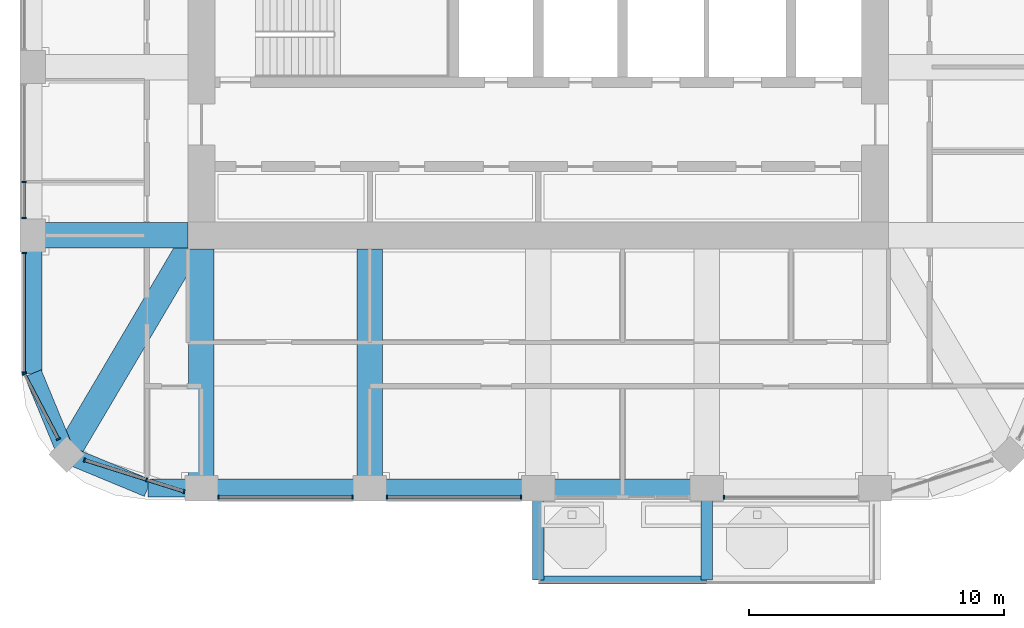
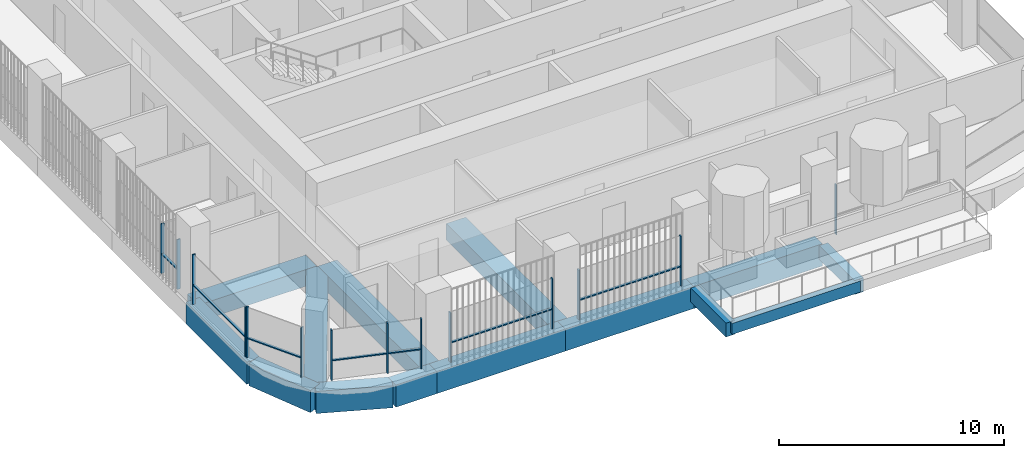
# One storey, part 2 of 21: 21 members, 14 beams, 7 elements without a shape of their own.
"""IFC4 building model written with IfcOpenShell, lengths in metres."""

from ifc_helpers import new_model, si_unit, direction, frame, origin, origin_2d, place, context, subcontext, project, spatial, rectangle, extrude, material, material_profile, profile_set, type_object, element, aggregate, save


model = new_model("IFC4")

# Units and contexts
model_context = context("Model", 3, precision=1e-05, world=origin(), true_north=direction((0.0, 1.0)))
body_context = subcontext(model_context, "Body", "Model", "MODEL_VIEW")
ifc_project = project(units=[si_unit("LENGTHUNIT", "METRE"), si_unit("AREAUNIT", "SQUARE_METRE"), si_unit("VOLUMEUNIT", "CUBIC_METRE"), si_unit("PLANEANGLEUNIT", "RADIAN"), si_unit("MASSUNIT", "GRAM", prefix="KILO")], contexts=[model_context])

# Site, building, storey
site_placement = place(None, origin())
site = spatial("IfcSite", under=ifc_project, at=site_placement, CompositionType="ELEMENT")
building_placement = place(site_placement, origin())
building = spatial("IfcBuilding", under=site, at=building_placement, Name="Cobogo Forest Laboratory Tower", CompositionType="ELEMENT")
storey_placement = place(building_placement, frame((0.0, 0.0, 250.199951171875)))
storey = spatial("IfcBuildingStorey", under=building, at=storey_placement, Name="L57", CompositionType="ELEMENT", Elevation=250.199951171875)

# Beams
ifc_material_1 = material(Name="Concrete HA-40 (C40/50)", Category="concrete")
ifc_material_profile_1 = material_profile(ifc_material_1, rectangle(XDim=0.449951171875, YDim=0.75, at=origin_2d()), Name="RC 450x750")
ifc_profile_set_1 = profile_set([ifc_material_profile_1], Name="Concrete HA-40 (C40/50)")
beam_type_1 = type_object("IfcBeamType", Name="Balcony cantilever beam 450x750", PredefinedType="BEAM", material=ifc_profile_set_1)
for number, where, z_axis, x_axis, name in (
    (1, (26.39990234375, 2.85009765625, -0.625), (0.0, -1.0, 0.0), (1.0, 0.0, 0.0), "CB1 BAL-S1-C1 L57"),
    (2, (33.0, 2.85009765625, -0.625), (0.0, -1.0, 0.0), (1.0, 0.0, 0.0), "CB1 BAL-S1-C2 L57"),
):
    element("IfcBeam", number, at=place(storey_placement, frame(where, z_axis=z_axis, x_axis=x_axis)), inside=storey, type_object=beam_type_1, Name=name, PredefinedType="BEAM", context=body_context, shape_type="SweptSolid", body=[
        extrude(rectangle(XDim=0.449951171875, YDim=0.75, at=origin_2d()), origin(), (0.0, 0.0, 1.0), 3.150146484375),
    ])
ifc_material_profile_2 = material_profile(ifc_material_1, rectangle(XDim=0.300048828125, YDim=0.60009765625, at=origin_2d()), Name="RC 300x600")
ifc_profile_set_2 = profile_set([ifc_material_profile_2], Name="Concrete HA-40 (C40/50)")
beam_type_2 = type_object("IfcBeamType", Name="Balcony edge beam 300x600", PredefinedType="BEAM", material=ifc_profile_set_2)
beam_1_placement = place(storey_placement, frame((26.39990234375, -0.300048828125, -0.550048828125), z_axis=(1.0, 0.0, 0.0), x_axis=(0.0, 1.0, 0.0)))
element("IfcBeam", 3, at=beam_1_placement, inside=storey, type_object=beam_type_2, Name="BB1 BAL-S1-T1 L57", PredefinedType="BEAM", context=body_context, shape_type="SweptSolid", body=[
    extrude(rectangle(XDim=0.300048828125, YDim=0.60009765625, at=origin_2d()), origin(), (0.0, 0.0, 1.0), 6.60009765625),
])

# Curtain wall, members
ifc_material_2 = material(Name="Aluminium curtain wall", Category="aluminium")
curtain_wall_type = type_object("IfcCurtainWallType", Name="CW-2 unitised curtain wall, solar control glazing, laboratory floors zones C and D", PredefinedType="USERDEFINED", material=ifc_material_2)
curtain_wall_1_placement = place(storey_placement, origin())
curtain_wall_1 = element("IfcCurtainWall", 4, at=curtain_wall_1_placement, inside=storey, type_object=curtain_wall_type, Name="Curtain wall 01 L57", ObjectType="UNITISED CURTAIN WALL", PredefinedType="USERDEFINED")
ifc_material_3 = material(Name="Aluminium mullion", Category="aluminium")
ifc_material_profile_3 = material_profile(ifc_material_3, rectangle(XDim=0.06005859375, YDim=0.159912109375, at=origin_2d()), Name="AL 60x160")
ifc_profile_set_3 = profile_set([ifc_material_profile_3], Name="Aluminium mullion")
member_type_1 = type_object("IfcMemberType", Name="MU-1 aluminium mullion 60x160", PredefinedType="MULLION", material=ifc_profile_set_3)
member_1_placement = place(storey_placement, frame((13.8798828125, 2.949951171875, 0.0), z_axis=(0.0, 0.0, 1.0), x_axis=(1.0, 0.0, 0.0)))
member_1 = element("IfcMember", 5, at=member_1_placement, type_object=member_type_1, Name="CW-2 mullion 1", PredefinedType="MULLION", context=body_context, shape_type="SweptSolid", body=[
    extrude(rectangle(XDim=0.06005859375, YDim=0.159912109375, at=origin_2d()), origin(), (0.0, 0.0, 1.0), 2.699951171875),
])
member_2_placement = place(storey_placement, frame((19.1201171875, 2.949951171875, 0.0), z_axis=(0.0, 0.0, 1.0), x_axis=(1.0, 0.0, 0.0)))
member_2 = element("IfcMember", 6, at=member_2_placement, type_object=member_type_1, Name="CW-2 mullion 2", PredefinedType="MULLION", context=body_context, shape_type="SweptSolid", body=[
    extrude(rectangle(XDim=0.06005859375, YDim=0.159912109375, at=origin_2d()), origin(), (0.0, 0.0, 1.0), 2.699951171875),
])

curtain_wall_2_placement = place(storey_placement, origin())
curtain_wall_2 = element("IfcCurtainWall", 7, at=curtain_wall_2_placement, inside=storey, type_object=curtain_wall_type, Name="Curtain wall 02 L57", ObjectType="UNITISED CURTAIN WALL", PredefinedType="USERDEFINED")
member_3_placement = place(storey_placement, frame((20.47998046875, 2.949951171875, 0.0), z_axis=(0.0, 0.0, 1.0), x_axis=(1.0, 0.0, 0.0)))
member_3 = element("IfcMember", 8, at=member_3_placement, type_object=member_type_1, Name="CW-2 mullion 1", PredefinedType="MULLION", context=body_context, shape_type="SweptSolid", body=[
    extrude(rectangle(XDim=0.06005859375, YDim=0.159912109375, at=origin_2d()), origin(), (0.0, 0.0, 1.0), 2.699951171875),
])
member_4_placement = place(storey_placement, frame((25.719970703125, 2.949951171875, 0.0), z_axis=(0.0, 0.0, 1.0), x_axis=(1.0, 0.0, 0.0)))
member_4 = element("IfcMember", 9, at=member_4_placement, type_object=member_type_1, Name="CW-2 mullion 2", PredefinedType="MULLION", context=body_context, shape_type="SweptSolid", body=[
    extrude(rectangle(XDim=0.06005859375, YDim=0.159912109375, at=origin_2d()), origin(), (0.0, 0.0, 1.0), 2.699951171875),
])

# Curtain wall, member
curtain_wall_3_placement = place(storey_placement, origin())
curtain_wall_3 = element("IfcCurtainWall", 10, at=curtain_wall_3_placement, inside=storey, type_object=curtain_wall_type, Name="Curtain wall 04 L57", ObjectType="UNITISED CURTAIN WALL", PredefinedType="USERDEFINED")
member_5_placement = place(storey_placement, frame((33.679931640625, 2.949951171875, 0.0), z_axis=(0.0, 0.0, 1.0), x_axis=(1.0, 0.0, 0.0)))
member_5 = element("IfcMember", 11, at=member_5_placement, type_object=member_type_1, Name="CW-2 mullion 1", PredefinedType="MULLION", context=body_context, shape_type="SweptSolid", body=[
    extrude(rectangle(XDim=0.06005859375, YDim=0.159912109375, at=origin_2d()), origin(), (0.0, 0.0, 1.0), 2.699951171875),
])
aggregate(curtain_wall_3, [member_5])

# Curtain wall, members
curtain_wall_4_placement = place(storey_placement, origin())
curtain_wall_4 = element("IfcCurtainWall", 12, at=curtain_wall_4_placement, inside=storey, type_object=curtain_wall_type, Name="Curtain wall 23 L57", ObjectType="UNITISED CURTAIN WALL", PredefinedType="USERDEFINED")
member_6_placement = place(storey_placement, frame((6.25, 15.300048828125, 0.0), z_axis=(0.0, 0.0, 1.0), x_axis=(0.0, -1.0, 0.0)))
member_6 = element("IfcMember", 13, at=member_6_placement, type_object=member_type_1, Name="CW-2 mullion 2", PredefinedType="MULLION", context=body_context, shape_type="SweptSolid", body=[
    extrude(rectangle(XDim=0.06005859375, YDim=0.159912109375, at=origin_2d()), origin(), (0.0, 0.0, 1.0), 2.699951171875),
])
member_7_placement = place(storey_placement, frame((6.25, 13.8798828125, 0.0), z_axis=(0.0, 0.0, 1.0), x_axis=(0.0, -1.0, 0.0)))
member_7 = element("IfcMember", 14, at=member_7_placement, type_object=member_type_1, Name="CW-2 mullion 3", PredefinedType="MULLION", context=body_context, shape_type="SweptSolid", body=[
    extrude(rectangle(XDim=0.06005859375, YDim=0.159912109375, at=origin_2d()), origin(), (0.0, 0.0, 1.0), 2.699951171875),
])

curtain_wall_5_placement = place(storey_placement, origin())
curtain_wall_5 = element("IfcCurtainWall", 15, at=curtain_wall_5_placement, inside=storey, type_object=curtain_wall_type, Name="Curtain wall 24 L57", ObjectType="UNITISED CURTAIN WALL", PredefinedType="USERDEFINED")
member_8_placement = place(storey_placement, frame((6.25, 12.52001953125, 0.0), z_axis=(0.0, 0.0, 1.0), x_axis=(0.0, -1.0, 0.0)))
member_8 = element("IfcMember", 16, at=member_8_placement, type_object=member_type_1, Name="CW-2 mullion 1", PredefinedType="MULLION", context=body_context, shape_type="SweptSolid", body=[
    extrude(rectangle(XDim=0.06005859375, YDim=0.159912109375, at=origin_2d()), origin(), (0.0, 0.0, 1.0), 2.699951171875),
])
member_9_placement = place(storey_placement, frame((6.25, 7.830078125, 0.0), z_axis=(0.0, 0.0, 1.0), x_axis=(0.0, -1.0, 0.0)))
member_9 = element("IfcMember", 17, at=member_9_placement, type_object=member_type_1, Name="CW-2 mullion 2", PredefinedType="MULLION", context=body_context, shape_type="SweptSolid", body=[
    extrude(rectangle(XDim=0.06005859375, YDim=0.159912109375, at=origin_2d()), origin(), (0.0, 0.0, 1.0), 2.699951171875),
])

curtain_wall_6_placement = place(storey_placement, origin())
curtain_wall_6 = element("IfcCurtainWall", 18, at=curtain_wall_6_placement, inside=storey, type_object=curtain_wall_type, Name="Curtain wall 25 L57", ObjectType="UNITISED CURTAIN WALL", PredefinedType="USERDEFINED")
member_10_placement = place(storey_placement, frame((6.263916015625, 7.7734375, 0.0), z_axis=(0.0, 0.0, 1.0), x_axis=(0.464283791352, -0.885686491422, 0.0)))
member_10 = element("IfcMember", 19, at=member_10_placement, type_object=member_type_1, Name="CW-2 mullion 1", PredefinedType="MULLION", context=body_context, shape_type="SweptSolid", body=[
    extrude(rectangle(XDim=0.06005859375, YDim=0.159912109375, at=origin_2d()), origin(), (0.0, 0.0, 1.0), 2.699951171875),
])
member_11_placement = place(storey_placement, frame((7.59765625, 5.229248046875, 0.0), z_axis=(0.0, 0.0, 1.0), x_axis=(0.464283791352, -0.885686491422, 0.0)))
member_11 = element("IfcMember", 20, at=member_11_placement, type_object=member_type_1, Name="CW-2 mullion 2", PredefinedType="MULLION", context=body_context, shape_type="SweptSolid", body=[
    extrude(rectangle(XDim=0.06005859375, YDim=0.159912109375, at=origin_2d()), origin(), (0.0, 0.0, 1.0), 2.699951171875),
])

curtain_wall_7_placement = place(storey_placement, origin())
curtain_wall_7 = element("IfcCurtainWall", 21, at=curtain_wall_7_placement, inside=storey, type_object=curtain_wall_type, Name="Curtain wall 26 L57", ObjectType="UNITISED CURTAIN WALL", PredefinedType="USERDEFINED")
member_12_placement = place(storey_placement, frame((8.623779296875, 4.395263671875, 0.0), z_axis=(0.0, 0.0, 1.0), x_axis=(0.953581386052, -0.301135418334, 0.0)))
member_12 = element("IfcMember", 22, at=member_12_placement, type_object=member_type_1, Name="CW-2 mullion 1", PredefinedType="MULLION", context=body_context, shape_type="SweptSolid", body=[
    extrude(rectangle(XDim=0.06005859375, YDim=0.159912109375, at=origin_2d()), origin(), (0.0, 0.0, 1.0), 2.699951171875),
])
member_13_placement = place(storey_placement, frame((11.051025390625, 3.628662109375, 0.0), z_axis=(0.0, 0.0, 1.0), x_axis=(0.953581386052, -0.301135418334, 0.0)))
member_13 = element("IfcMember", 23, at=member_13_placement, type_object=member_type_1, Name="CW-2 mullion 2", PredefinedType="MULLION", context=body_context, shape_type="SweptSolid", body=[
    extrude(rectangle(XDim=0.06005859375, YDim=0.159912109375, at=origin_2d()), origin(), (0.0, 0.0, 1.0), 2.699951171875),
])
member_14_placement = place(storey_placement, frame((12.521484375, 3.164306640625, 0.0), z_axis=(0.0, 0.0, 1.0), x_axis=(0.953581386052, -0.301135418334, 0.0)))
member_14 = element("IfcMember", 24, at=member_14_placement, type_object=member_type_1, Name="CW-2 mullion 3", PredefinedType="MULLION", context=body_context, shape_type="SweptSolid", body=[
    extrude(rectangle(XDim=0.06005859375, YDim=0.159912109375, at=origin_2d()), origin(), (0.0, 0.0, 1.0), 2.699951171875),
])

# Beams
ifc_material_profile_4 = material_profile(ifc_material_1, rectangle(XDim=1.0, YDim=0.89990234375, at=origin_2d()), Name="RC 1000x900")
ifc_profile_set_4 = profile_set([ifc_material_profile_4], Name="Concrete HA-40 (C40/50)")
beam_type_3 = type_object("IfcBeamType", Name="Office floor wide beam 1000x900", PredefinedType="BEAM", material=ifc_profile_set_4)
for number, where, z_axis, x_axis, name in (
    (25, (13.199951171875, 12.675048828125, -0.75), (0.0, -1.0, 0.0), (1.0, 0.0, 0.0), "RB2 R-3-S L57"),
    (26, (19.800048828125, 12.675048828125, -0.75), (0.0, -1.0, 0.0), (1.0, 0.0, 0.0), "RB2 R-4-S L57"),
):
    element("IfcBeam", number, at=place(storey_placement, frame(where, z_axis=z_axis, x_axis=x_axis)), inside=storey, type_object=beam_type_3, Name=name, PredefinedType="BEAM", context=body_context, shape_type="SweptSolid", body=[
        extrude(rectangle(XDim=1.0, YDim=0.89990234375, at=origin_2d()), origin(), (0.0, 0.0, 1.0), 9.375),
    ])
beam_2_placement = place(storey_placement, frame((12.675048828125, 13.199951171875, -0.75), z_axis=(-1.0, 0.0, 0.0), x_axis=(0.0, -1.0, 0.0)))
element("IfcBeam", 27, at=beam_2_placement, inside=storey, type_object=beam_type_3, Name="RB2 R-C-W L57", PredefinedType="BEAM", context=body_context, shape_type="SweptSolid", body=[
    extrude(rectangle(XDim=1.0, YDim=0.89990234375, at=origin_2d()), origin(), (0.0, 0.0, 1.0), 6.074951171875),
])
beam_3_placement = place(storey_placement, frame((7.91796875, 4.617919921875, -0.75), z_axis=(0.508416325908, 0.861111397875, 0.0), x_axis=(-0.861111397875, 0.508416325908, 0.0)))
element("IfcBeam", 28, at=beam_3_placement, inside=storey, type_object=beam_type_3, Name="RB2 G-SW-D1 L57", PredefinedType="BEAM", context=body_context, shape_type="SweptSolid", body=[
    extrude(rectangle(XDim=1.0, YDim=0.89990234375, at=origin_2d()), origin(), (0.0, 0.0, 1.0), 9.356689453125),
])
ifc_material_profile_5 = material_profile(ifc_material_1, rectangle(XDim=0.699951171875, YDim=1.199951171875, at=origin_2d()), Name="RC 700x1200")
ifc_profile_set_5 = profile_set([ifc_material_profile_5], Name="Concrete HA-40 (C40/50)")
beam_type_4 = type_object("IfcBeamType", Name="Perimeter edge beam 700x1200", PredefinedType="BEAM", material=ifc_profile_set_5)
beam_4_placement = place(storey_placement, frame((13.199951171875, 3.300048828125, -0.89990234375), z_axis=(1.0, 0.0, 0.0), x_axis=(0.0, 1.0, 0.0)))
element("IfcBeam", 29, at=beam_4_placement, inside=storey, type_object=beam_type_4, Name="EB1 E-S1 L57", PredefinedType="BEAM", context=body_context, shape_type="SweptSolid", body=[
    extrude(rectangle(XDim=0.699951171875, YDim=1.199951171875, at=origin_2d()), origin(), (0.0, 0.0, 1.0), 6.60009765625),
])
beam_5_placement = place(storey_placement, frame((19.800048828125, 3.300048828125, -0.89990234375), z_axis=(1.0, 0.0, 0.0), x_axis=(0.0, 1.0, 0.0)))
element("IfcBeam", 30, at=beam_5_placement, inside=storey, type_object=beam_type_4, Name="EB1 E-S2 L57", PredefinedType="BEAM", context=body_context, shape_type="SweptSolid", body=[
    extrude(rectangle(XDim=0.699951171875, YDim=1.199951171875, at=origin_2d()), origin(), (0.0, 0.0, 1.0), 6.599853515625),
])
beam_6_placement = place(storey_placement, frame((26.39990234375, 3.300048828125, -0.89990234375), z_axis=(1.0, 0.0, 0.0), x_axis=(0.0, 1.0, 0.0)))
element("IfcBeam", 31, at=beam_6_placement, inside=storey, type_object=beam_type_4, Name="EB1 E-S3 L57", PredefinedType="BEAM", context=body_context, shape_type="SweptSolid", body=[
    extrude(rectangle(XDim=0.699951171875, YDim=1.199951171875, at=origin_2d()), origin(), (0.0, 0.0, 1.0), 6.60009765625),
])
beam_7_placement = place(storey_placement, frame((13.199951171875, 3.300048828125, -0.89990234375), z_axis=(-1.0, 0.0, 0.0), x_axis=(0.0, -1.0, 0.0)))
element("IfcBeam", 32, at=beam_7_placement, inside=storey, type_object=beam_type_4, Name="EB1 E-SWS1 L57", PredefinedType="BEAM", context=body_context, shape_type="SweptSolid", body=[
    extrude(rectangle(XDim=0.699951171875, YDim=1.199951171875, at=origin_2d()), origin(), (0.0, 0.0, 1.0), 2.099853515625),
])
beam_8_placement = place(storey_placement, frame((11.10009765625, 3.300048828125, -0.89990234375), z_axis=(-0.923901072997, 0.382631424892, 0.0), x_axis=(-0.382631424892, -0.923901072997, 0.0)))
element("IfcBeam", 33, at=beam_8_placement, inside=storey, type_object=beam_type_4, Name="EB1 E-SWS2 L57", PredefinedType="BEAM", context=body_context, shape_type="SweptSolid", body=[
    extrude(rectangle(XDim=0.699951171875, YDim=1.199951171875, at=origin_2d()), origin(), (0.0, 0.0, 1.0), 3.4443359375),
])
beam_9_placement = place(storey_placement, frame((6.60009765625, 13.199951171875, -0.89990234375), z_axis=(0.0, -1.0, 0.0), x_axis=(1.0, 0.0, 0.0)))
element("IfcBeam", 34, at=beam_9_placement, inside=storey, type_object=beam_type_4, Name="EB1 E-SWW1 L57", PredefinedType="BEAM", context=body_context, shape_type="SweptSolid", body=[
    extrude(rectangle(XDim=0.699951171875, YDim=1.199951171875, at=origin_2d()), origin(), (0.0, 0.0, 1.0), 5.39990234375),
])
beam_10_placement = place(storey_placement, frame((6.60009765625, 7.800048828125, -0.89990234375), z_axis=(0.382631424892, -0.923901072997, 0.0), x_axis=(0.923901072997, 0.382631424892, 0.0)))
element("IfcBeam", 35, at=beam_10_placement, inside=storey, type_object=beam_type_4, Name="EB1 E-SWW2 L57", PredefinedType="BEAM", context=body_context, shape_type="SweptSolid", body=[
    extrude(rectangle(XDim=0.699951171875, YDim=1.199951171875, at=origin_2d()), origin(), (0.0, 0.0, 1.0), 3.4443359375),
])

# Member
ifc_material_4 = material(Name="Aluminium transom", Category="aluminium")
ifc_material_profile_6 = material_profile(ifc_material_4, rectangle(XDim=0.1201171875, YDim=0.06005859375, at=origin_2d()), Name="AL 60x120")
ifc_profile_set_6 = profile_set([ifc_material_profile_6], Name="Aluminium transom")
member_type_2 = type_object("IfcMemberType", Name="TR-1 aluminium transom 60x120", PredefinedType="USERDEFINED", material=ifc_profile_set_6)
member_15_placement = place(storey_placement, frame((13.909912109375, 2.949951171875, 1.050048828125), z_axis=(1.0, 0.0, 0.0), x_axis=(0.0, 1.0, 0.0)))
member_15 = element("IfcMember", 36, at=member_15_placement, type_object=member_type_2, Name="CW-2 transom 1.1", ObjectType="TRANSOM", PredefinedType="USERDEFINED", context=body_context, shape_type="SweptSolid", body=[
    extrude(rectangle(XDim=0.1201171875, YDim=0.06005859375, at=origin_2d()), origin(), (0.0, 0.0, 1.0), 5.18017578125),
])

aggregate(curtain_wall_1, [member_1, member_2, member_15])

member_16_placement = place(storey_placement, frame((20.510009765625, 2.949951171875, 1.050048828125), z_axis=(1.0, 0.0, 0.0), x_axis=(0.0, 1.0, 0.0)))
member_16 = element("IfcMember", 37, at=member_16_placement, type_object=member_type_2, Name="CW-2 transom 1.1", ObjectType="TRANSOM", PredefinedType="USERDEFINED", context=body_context, shape_type="SweptSolid", body=[
    extrude(rectangle(XDim=0.1201171875, YDim=0.06005859375, at=origin_2d()), origin(), (0.0, 0.0, 1.0), 5.179931640625),
])

aggregate(curtain_wall_2, [member_3, member_4, member_16])

member_17_placement = place(storey_placement, frame((6.25, 15.27001953125, 1.050048828125), z_axis=(0.0, -1.0, 0.0), x_axis=(1.0, 0.0, 0.0)))
member_17 = element("IfcMember", 38, at=member_17_placement, type_object=member_type_2, Name="CW-2 transom 2.1", ObjectType="TRANSOM", PredefinedType="USERDEFINED", context=body_context, shape_type="SweptSolid", body=[
    extrude(rectangle(XDim=0.1201171875, YDim=0.06005859375, at=origin_2d()), origin(), (0.0, 0.0, 1.0), 1.360107421875),
])

aggregate(curtain_wall_4, [member_6, member_7, member_17])

member_18_placement = place(storey_placement, frame((6.25, 12.489990234375, 1.050048828125), z_axis=(0.0, -1.0, 0.0), x_axis=(1.0, 0.0, 0.0)))
member_18 = element("IfcMember", 39, at=member_18_placement, type_object=member_type_2, Name="CW-2 transom 1.1", ObjectType="TRANSOM", PredefinedType="USERDEFINED", context=body_context, shape_type="SweptSolid", body=[
    extrude(rectangle(XDim=0.1201171875, YDim=0.06005859375, at=origin_2d()), origin(), (0.0, 0.0, 1.0), 4.6298828125),
])

aggregate(curtain_wall_5, [member_8, member_9, member_18])

member_19_placement = place(storey_placement, frame((6.27783203125, 7.746826171875, 1.050048828125), z_axis=(0.464282656331, -0.885687086408, 0.0), x_axis=(0.885687086408, 0.464282656331, 0.0)))
member_19 = element("IfcMember", 40, at=member_19_placement, type_object=member_type_2, Name="CW-2 transom 1.1", ObjectType="TRANSOM", PredefinedType="USERDEFINED", context=body_context, shape_type="SweptSolid", body=[
    extrude(rectangle(XDim=0.1201171875, YDim=0.06005859375, at=origin_2d()), origin(), (0.0, 0.0, 1.0), 2.812744140625),
])

aggregate(curtain_wall_6, [member_10, member_11, member_19])

member_20_placement = place(storey_placement, frame((8.65234375, 4.38623046875, 1.050048828125), z_axis=(0.953564847589, -0.301187784352, 0.0), x_axis=(0.301187784352, 0.953564847589, 0.0)))
member_20 = element("IfcMember", 41, at=member_20_placement, type_object=member_type_2, Name="CW-2 transom 1.1", ObjectType="TRANSOM", PredefinedType="USERDEFINED", context=body_context, shape_type="SweptSolid", body=[
    extrude(rectangle(XDim=0.1201171875, YDim=0.06005859375, at=origin_2d()), origin(), (0.0, 0.0, 1.0), 2.4853515625),
])

member_21_placement = place(storey_placement, frame((11.07958984375, 3.61962890625, 1.050048828125), z_axis=(0.953572704918, -0.301162906805, 0.0), x_axis=(0.301162906805, 0.953572704918, 0.0)))
member_21 = element("IfcMember", 42, at=member_21_placement, type_object=member_type_2, Name="CW-2 transom 2.1", ObjectType="TRANSOM", PredefinedType="USERDEFINED", context=body_context, shape_type="SweptSolid", body=[
    extrude(rectangle(XDim=0.1201171875, YDim=0.06005859375, at=origin_2d()), origin(), (0.0, 0.0, 1.0), 1.48193359375),
])

aggregate(curtain_wall_7, [member_12, member_13, member_14, member_20, member_21])

save(model, "model.ifc")
